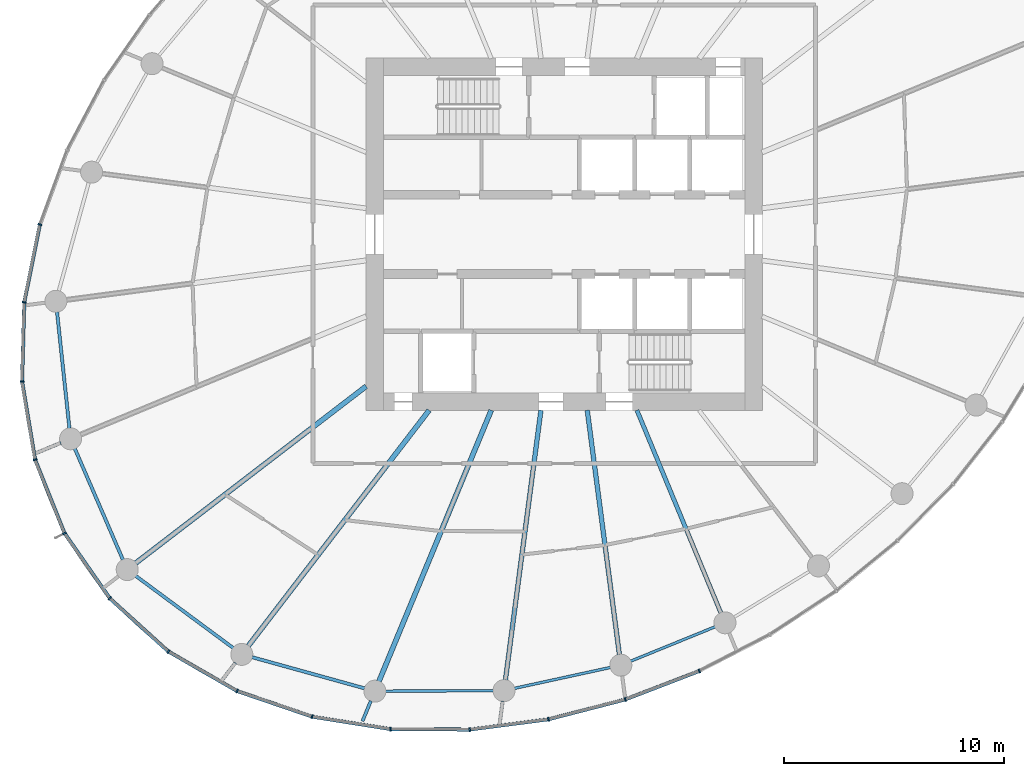
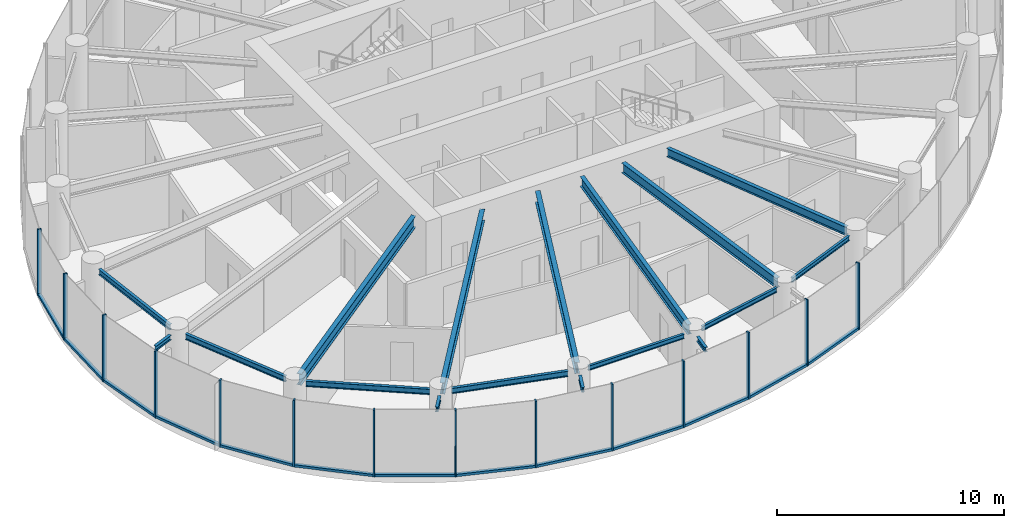
# One storey, part 2 of 14: 27 members, 17 beams, 3 elements without a shape of their own.
"""IFC4 building model written with IfcOpenShell, lengths in metres."""

from ifc_helpers import new_model, si_unit, direction, frame, origin, origin_2d, place, context, subcontext, project, spatial, rectangle, i_section, extrude, source, transform, mapped, material, layer, layer_set, material_profile, profile_set, type_object, element, aggregate, save


model = new_model("IFC4")

# Units and contexts
model_context = context("Model", 3, precision=1e-05, world=origin(), true_north=direction((0.0, 1.0)))
body_context = subcontext(model_context, "Body", "Model", "MODEL_VIEW")
ifc_project = project(units=[si_unit("LENGTHUNIT", "METRE"), si_unit("AREAUNIT", "SQUARE_METRE"), si_unit("VOLUMEUNIT", "CUBIC_METRE"), si_unit("PLANEANGLEUNIT", "RADIAN"), si_unit("MASSUNIT", "GRAM", prefix="KILO")], contexts=[model_context])

# Site, building, storey
site_placement = place(None, origin())
site = spatial("IfcSite", under=ifc_project, at=site_placement, CompositionType="ELEMENT")
building_placement = place(site_placement, origin())
building = spatial("IfcBuilding", under=site, at=building_placement, Name="Spindrift Exchange Tower", CompositionType="ELEMENT")
storey_placement = place(building_placement, frame((0.0, 0.0, 156.5)))
storey = spatial("IfcBuildingStorey", under=building, at=storey_placement, Name="L37", CompositionType="ELEMENT", Elevation=156.5)

# Beams
ifc_material_1 = material(Name="Steel Grade 300", Category="steel")
ifc_material_profile_1 = material_profile(ifc_material_1, i_section(OverallWidth=0.14599609375, OverallDepth=0.251953125, WebThickness=0.006103515625, FlangeThickness=0.008544921875, FilletRadius=0.011962890625, at=origin_2d()), Name="250UB31.4")
ifc_profile_set_1 = profile_set([ifc_material_profile_1], Name="Steel Grade 300")
beam_type_1 = type_object("IfcBeamType", Name="Cantilever Beam 250UB31.4 Steel Grade 300", PredefinedType="BEAM", material=ifc_profile_set_1)
shared_shape_1 = source(origin(), body_context, "Body", "SweptSolid", [
    extrude(i_section(OverallWidth=0.14599609375, OverallDepth=0.251953125, WebThickness=0.006103515625, FlangeThickness=0.008544921875, FilletRadius=0.011962890625, at=origin_2d()), origin(), (0.0, 0.0, 1.0), 0.92138671875),
])
beam_1_placement = place(storey_placement, frame((37.0830078125, 28.559814453125, 3.4541015625), z_axis=(-0.60869854627, -0.793401587955, 0.0), x_axis=(0.793401587955, -0.60869854627, 0.0)))
element("IfcBeam", 1, at=beam_1_placement, inside=storey, type_object=beam_type_1, Name="L37 cantilever beam R16T", PredefinedType="BEAM", context=body_context, shape_type="MappedRepresentation", body=[
    mapped(shared_shape_1, transform((0.0, 0.0, 0.0), scale=1.0)),
])
ifc_material_profile_2 = material_profile(ifc_material_1, i_section(OverallWidth=0.14892578125, OverallDepth=0.298095703125, WebThickness=0.005615234375, FlangeThickness=0.008056640625, FilletRadius=0.012939453125, at=origin_2d()), Name="310UB32.0")
ifc_profile_set_2 = profile_set([ifc_material_profile_2], Name="Steel Grade 300")
beam_type_2 = type_object("IfcBeamType", Name="Edge Beam 310UB32.0 Steel Grade 300", PredefinedType="SPANDREL", material=ifc_profile_set_2)
shared_shape_2 = source(origin(), body_context, "Body", "SweptSolid", [
    extrude(i_section(OverallWidth=0.14892578125, OverallDepth=0.298095703125, WebThickness=0.005615234375, FlangeThickness=0.008056640625, FilletRadius=0.012939453125, at=origin_2d()), origin(), (0.0, 0.0, 1.0), 5.31640625),
])
beam_2_placement = place(storey_placement, frame((28.989013671875, 44.486572265625, 3.430908203125), z_axis=(0.10598990948, -0.994367205357, 0.0), x_axis=(0.994367205357, 0.10598990948, 0.0)))
element("IfcBeam", 2, at=beam_2_placement, inside=storey, type_object=beam_type_2, Name="L37 edge beam E13", PredefinedType="SPANDREL", context=body_context, shape_type="MappedRepresentation", body=[
    mapped(shared_shape_2, transform((0.0, 0.0, 0.0), scale=1.0)),
])
shared_shape_3 = source(origin(), body_context, "Body", "SweptSolid", [
    extrude(i_section(OverallWidth=0.14892578125, OverallDepth=0.298095703125, WebThickness=0.005615234375, FlangeThickness=0.008056640625, FilletRadius=0.012939453125, at=origin_2d()), origin(), (0.0, 0.0, 1.0), 5.508544921875),
])
beam_3_placement = place(storey_placement, frame((29.794189453125, 38.282470703125, 3.430908203125), z_axis=(0.397414644433, -0.917639144975, 0.0), x_axis=(0.917639144975, 0.397414644433, 0.0)))
element("IfcBeam", 3, at=beam_3_placement, inside=storey, type_object=beam_type_2, Name="L37 edge beam E14", PredefinedType="SPANDREL", context=body_context, shape_type="MappedRepresentation", body=[
    mapped(shared_shape_3, transform((0.0, 0.0, 0.0), scale=1.0)),
])
shared_shape_4 = source(origin(), body_context, "Body", "SweptSolid", [
    extrude(i_section(OverallWidth=0.14892578125, OverallDepth=0.298095703125, WebThickness=0.005615234375, FlangeThickness=0.008056640625, FilletRadius=0.012939453125, at=origin_2d()), origin(), (0.0, 0.0, 1.0), 5.509033203125),
])
beam_4_placement = place(storey_placement, frame((32.56005859375, 32.501708984375, 3.430908203125), z_axis=(0.803991901791, -0.594640245741, 0.0), x_axis=(0.594640245741, 0.803991901791, 0.0)))
element("IfcBeam", 4, at=beam_4_placement, inside=storey, type_object=beam_type_2, Name="L37 edge beam E15", PredefinedType="SPANDREL", context=body_context, shape_type="MappedRepresentation", body=[
    mapped(shared_shape_4, transform((0.0, 0.0, 0.0), scale=1.0)),
])
shared_shape_5 = source(origin(), body_context, "Body", "SweptSolid", [
    extrude(i_section(OverallWidth=0.14892578125, OverallDepth=0.298095703125, WebThickness=0.005615234375, FlangeThickness=0.008056640625, FilletRadius=0.012939453125, at=origin_2d()), origin(), (0.0, 0.0, 1.0), 5.30517578125),
])
beam_5_placement = place(storey_placement, frame((37.837646484375, 28.8125, 3.430908203125), z_axis=(0.963757513624, -0.26677978734, 0.0), x_axis=(0.26677978734, 0.963757513624, 0.0)))
element("IfcBeam", 5, at=beam_5_placement, inside=storey, type_object=beam_type_2, Name="L37 edge beam E16", PredefinedType="SPANDREL", context=body_context, shape_type="MappedRepresentation", body=[
    mapped(shared_shape_5, transform((0.0, 0.0, 0.0), scale=1.0)),
])
ifc_material_profile_3 = material_profile(ifc_material_1, i_section(OverallWidth=0.1240234375, OverallDepth=0.248046875, WebThickness=0.0048828125, FlangeThickness=0.008056640625, FilletRadius=0.011962890625, at=origin_2d()), Name="250UB25.7")
ifc_profile_set_3 = profile_set([ifc_material_profile_3], Name="Steel Grade 300")
beam_type_3 = type_object("IfcBeamType", Name="Edge Beam 250UB25.7 Steel Grade 300", PredefinedType="SPANDREL", material=ifc_profile_set_3)
shared_shape_6 = source(origin(), body_context, "Body", "SweptSolid", [
    extrude(i_section(OverallWidth=0.1240234375, OverallDepth=0.248046875, WebThickness=0.0048828125, FlangeThickness=0.008056640625, FilletRadius=0.011962890625, at=origin_2d()), origin(), (0.0, 0.0, 1.0), 4.901123046875),
])
beam_6_placement = place(storey_placement, frame((43.89306640625, 27.271240234375, 3.4560546875), z_axis=(0.999990609444, 0.004333707747, 0.0), x_axis=(-0.004333707747, 0.999990609444, 0.0)))
element("IfcBeam", 6, at=beam_6_placement, inside=storey, type_object=beam_type_3, Name="L37 edge beam E17", PredefinedType="SPANDREL", context=body_context, shape_type="MappedRepresentation", body=[
    mapped(shared_shape_6, transform((0.0, 0.0, 0.0), scale=1.0)),
])
shared_shape_7 = source(origin(), body_context, "Body", "SweptSolid", [
    extrude(i_section(OverallWidth=0.1240234375, OverallDepth=0.248046875, WebThickness=0.0048828125, FlangeThickness=0.008056640625, FilletRadius=0.011962890625, at=origin_2d()), origin(), (0.0, 0.0, 1.0), 4.464111328125),
])
beam_7_placement = place(storey_placement, frame((49.7431640625, 27.396728515625, 3.4560546875), z_axis=(0.977095837978, 0.212799726048, 0.0), x_axis=(-0.212799726048, 0.977095837978, 0.0)))
element("IfcBeam", 7, at=beam_7_placement, inside=storey, type_object=beam_type_3, Name="L37 edge beam E18", PredefinedType="SPANDREL", context=body_context, shape_type="MappedRepresentation", body=[
    mapped(shared_shape_7, transform((0.0, 0.0, 0.0), scale=1.0)),
])
shared_shape_8 = source(origin(), body_context, "Body", "SweptSolid", [
    extrude(i_section(OverallWidth=0.1240234375, OverallDepth=0.248046875, WebThickness=0.0048828125, FlangeThickness=0.008056640625, FilletRadius=0.011962890625, at=origin_2d()), origin(), (0.0, 0.0, 1.0), 4.143798828125),
])
beam_8_placement = place(storey_placement, frame((55.0185546875, 28.6298828125, 3.4560546875), z_axis=(0.926113706975, 0.377244485385, 0.0), x_axis=(-0.377244485385, 0.926113706975, 0.0)))
element("IfcBeam", 8, at=beam_8_placement, inside=storey, type_object=beam_type_3, Name="L37 edge beam E19", PredefinedType="SPANDREL", context=body_context, shape_type="MappedRepresentation", body=[
    mapped(shared_shape_8, transform((0.0, 0.0, 0.0), scale=1.0)),
])
ifc_material_profile_4 = material_profile(ifc_material_1, i_section(OverallWidth=0.22802734375, OverallDepth=0.60205078125, WebThickness=0.010498046875, FlangeThickness=0.014892578125, FilletRadius=0.013916015625, at=origin_2d()), Name="610UB101")
ifc_profile_set_4 = profile_set([ifc_material_profile_4], Name="Steel Grade 300")
beam_type_4 = type_object("IfcBeamType", Name="Floor Beam 610UB101 Steel Grade 300", PredefinedType="BEAM", material=ifc_profile_set_4)
shared_shape_9 = source(origin(), body_context, "Body", "SweptSolid", [
    extrude(i_section(OverallWidth=0.22802734375, OverallDepth=0.60205078125, WebThickness=0.010498046875, FlangeThickness=0.014892578125, FilletRadius=0.013916015625, at=origin_2d()), origin(), (0.0, 0.0, 1.0), 13.185546875),
])
beam_9_placement = place(storey_placement, frame((43.015869140625, 41.106201171875, 3.279052734375), z_axis=(-0.793357156703, -0.608756455332, 0.0), x_axis=(0.608756455332, -0.793357156703, 0.0)))
element("IfcBeam", 9, at=beam_9_placement, inside=storey, type_object=beam_type_4, Name="L37 radial beam R15A", PredefinedType="BEAM", context=body_context, shape_type="MappedRepresentation", body=[
    mapped(shared_shape_9, transform((0.0, 0.0, 0.0), scale=1.0)),
])
shared_shape_10 = source(origin(), body_context, "Body", "SweptSolid", [
    extrude(i_section(OverallWidth=0.22802734375, OverallDepth=0.60205078125, WebThickness=0.010498046875, FlangeThickness=0.014892578125, FilletRadius=0.013916015625, at=origin_2d()), origin(), (0.0, 0.0, 1.0), 13.480224609375),
])
beam_10_placement = place(storey_placement, frame((45.87353515625, 40.015869140625, 3.279052734375), z_axis=(-0.608764179541, -0.793351229726, 0.0), x_axis=(0.793351229726, -0.608764179541, 0.0)))
element("IfcBeam", 10, at=beam_10_placement, inside=storey, type_object=beam_type_4, Name="L37 radial beam R16A", PredefinedType="BEAM", context=body_context, shape_type="MappedRepresentation", body=[
    mapped(shared_shape_10, transform((0.0, 0.0, 0.0), scale=1.0)),
])
shared_shape_11 = source(origin(), body_context, "Body", "SweptSolid", [
    extrude(i_section(OverallWidth=0.22802734375, OverallDepth=0.60205078125, WebThickness=0.010498046875, FlangeThickness=0.014892578125, FilletRadius=0.013916015625, at=origin_2d()), origin(), (0.0, 0.0, 1.0), 13.31982421875),
])
beam_11_placement = place(storey_placement, frame((48.69384765625, 40.0185546875, 3.279052734375), z_axis=(-0.382676632888, -0.923882348918, 0.0), x_axis=(0.923882348918, -0.382676632888, 0.0)))
element("IfcBeam", 11, at=beam_11_placement, inside=storey, type_object=beam_type_4, Name="L37 radial beam R17A", PredefinedType="BEAM", context=body_context, shape_type="MappedRepresentation", body=[
    mapped(shared_shape_11, transform((0.0, 0.0, 0.0), scale=1.0)),
])
ifc_material_profile_5 = material_profile(ifc_material_1, i_section(OverallWidth=0.208984375, OverallDepth=0.528076171875, WebThickness=0.009521484375, FlangeThickness=0.01318359375, FilletRadius=0.013916015625, at=origin_2d()), Name="530UB82.0")
ifc_profile_set_5 = profile_set([ifc_material_profile_5], Name="Steel Grade 300")
beam_type_5 = type_object("IfcBeamType", Name="Floor Beam 530UB82.0 Steel Grade 300", PredefinedType="BEAM", material=ifc_profile_set_5)
shared_shape_12 = source(origin(), body_context, "Body", "SweptSolid", [
    extrude(i_section(OverallWidth=0.208984375, OverallDepth=0.528076171875, WebThickness=0.009521484375, FlangeThickness=0.01318359375, FilletRadius=0.013916015625, at=origin_2d()), origin(), (0.0, 0.0, 1.0), 12.35498046875),
])
beam_12_placement = place(storey_placement, frame((50.949462890625, 40.019775390625, 3.31591796875), z_axis=(-0.130537831721, -0.991443328935, 0.0), x_axis=(0.991443328935, -0.130537831721, 0.0)))
element("IfcBeam", 12, at=beam_12_placement, inside=storey, type_object=beam_type_5, Name="L37 radial beam R18A", PredefinedType="BEAM", context=body_context, shape_type="MappedRepresentation", body=[
    mapped(shared_shape_12, transform((0.0, 0.0, 0.0), scale=1.0)),
])
shared_shape_13 = source(origin(), body_context, "Body", "SweptSolid", [
    extrude(i_section(OverallWidth=0.208984375, OverallDepth=0.528076171875, WebThickness=0.009521484375, FlangeThickness=0.01318359375, FilletRadius=0.013916015625, at=origin_2d()), origin(), (0.0, 0.0, 1.0), 11.19091796875),
])
beam_13_placement = place(storey_placement, frame((53.050537109375, 40.019775390625, 3.31591796875), z_axis=(0.130524489434, -0.991445085548, 0.0), x_axis=(0.991445085548, 0.130524489434, 0.0)))
element("IfcBeam", 13, at=beam_13_placement, inside=storey, type_object=beam_type_5, Name="L37 radial beam R19A", PredefinedType="BEAM", context=body_context, shape_type="MappedRepresentation", body=[
    mapped(shared_shape_13, transform((0.0, 0.0, 0.0), scale=1.0)),
])
ifc_material_profile_6 = material_profile(ifc_material_1, i_section(OverallWidth=0.18994140625, OverallDepth=0.4541015625, WebThickness=0.008544921875, FlangeThickness=0.0126953125, FilletRadius=0.013916015625, at=origin_2d()), Name="460UB67.1")
ifc_profile_set_6 = profile_set([ifc_material_profile_6], Name="Steel Grade 300")
beam_type_6 = type_object("IfcBeamType", Name="Floor Beam 460UB67.1 Steel Grade 300", PredefinedType="BEAM", material=ifc_profile_set_6)
shared_shape_14 = source(origin(), body_context, "Body", "SweptSolid", [
    extrude(i_section(OverallWidth=0.18994140625, OverallDepth=0.4541015625, WebThickness=0.008544921875, FlangeThickness=0.0126953125, FilletRadius=0.013916015625, at=origin_2d()), origin(), (0.0, 0.0, 1.0), 9.958984375),
])
beam_14_placement = place(storey_placement, frame((55.30615234375, 40.0185546875, 3.35302734375), z_axis=(0.382673670509, -0.923883575944, 0.0), x_axis=(0.923883575944, 0.382673670509, 0.0)))
element("IfcBeam", 14, at=beam_14_placement, inside=storey, type_object=beam_type_6, Name="L37 radial beam R20A", PredefinedType="BEAM", context=body_context, shape_type="MappedRepresentation", body=[
    mapped(shared_shape_14, transform((0.0, 0.0, 0.0), scale=1.0)),
])
shared_shape_15 = source(origin(), body_context, "Body", "SweptSolid", [
    extrude(i_section(OverallWidth=0.14599609375, OverallDepth=0.251953125, WebThickness=0.006103515625, FlangeThickness=0.008544921875, FilletRadius=0.011962890625, at=origin_2d()), origin(), (0.0, 0.0, 1.0), 1.1044921875),
])
beam_15_placement = place(storey_placement, frame((29.159912109375, 38.539306640625, 3.4541015625), z_axis=(-0.923911779543, -0.382605571864, 0.0), x_axis=(0.382605571864, -0.923911779543, 0.0)))
element("IfcBeam", 15, at=beam_15_placement, inside=storey, type_object=beam_type_1, Name="L37 cantilever beam R14T", PredefinedType="BEAM", context=body_context, shape_type="MappedRepresentation", body=[
    mapped(shared_shape_15, transform((0.0, 0.0, 0.0), scale=1.0)),
])
shared_shape_16 = source(origin(), body_context, "Body", "SweptSolid", [
    extrude(i_section(OverallWidth=0.14599609375, OverallDepth=0.251953125, WebThickness=0.006103515625, FlangeThickness=0.008544921875, FilletRadius=0.011962890625, at=origin_2d()), origin(), (0.0, 0.0, 1.0), 0.99267578125),
])
beam_16_placement = place(storey_placement, frame((43.229248046875, 26.82568359375, 3.4541015625), z_axis=(-0.382728331332, -0.923860933472, 0.0), x_axis=(0.923860933472, -0.382728331332, 0.0)))
element("IfcBeam", 16, at=beam_16_placement, inside=storey, type_object=beam_type_1, Name="L37 cantilever beam R17T", PredefinedType="BEAM", context=body_context, shape_type="MappedRepresentation", body=[
    mapped(shared_shape_16, transform((0.0, 0.0, 0.0), scale=1.0)),
])
shared_shape_17 = source(origin(), body_context, "Body", "SweptSolid", [
    extrude(i_section(OverallWidth=0.14599609375, OverallDepth=0.251953125, WebThickness=0.006103515625, FlangeThickness=0.008544921875, FilletRadius=0.011962890625, at=origin_2d()), origin(), (0.0, 0.0, 1.0), 0.951416015625),
])
beam_17_placement = place(storey_placement, frame((49.21142578125, 26.81884765625, 3.4541015625), z_axis=(-0.13060053092, -0.991435071663, 0.0), x_axis=(0.991435071663, -0.13060053092, 0.0)))
element("IfcBeam", 17, at=beam_17_placement, inside=storey, type_object=beam_type_1, Name="L37 cantilever beam R18T", PredefinedType="BEAM", context=body_context, shape_type="MappedRepresentation", body=[
    mapped(shared_shape_17, transform((0.0, 0.0, 0.0), scale=1.0)),
])

# Curtain wall, member
ifc_material_2 = material(Name="Fritted laminated glass with bronze frame", Category="glass")
ifc_layer = layer(ifc_material_2, 0.179931640625)
ifc_layer_set = layer_set([ifc_layer], Name="ZONE 3 BRONZE FRITTED WALL")
curtain_wall_type = type_object("IfcCurtainWallType", Name="ZONE 3 BRONZE FRITTED WALL", PredefinedType="NOTDEFINED", material=ifc_layer_set)
curtain_wall_1_placement = place(storey_placement, origin())
curtain_wall_1 = element("IfcCurtainWall", 18, at=curtain_wall_1_placement, inside=storey, type_object=curtain_wall_type, Name="L37 Zone 3 Bronze Fritted Wall run 5", PredefinedType="NOTDEFINED")
ifc_material_3 = material(Name="Bronze anodised aluminium", Category="aluminium")
ifc_material_profile_7 = material_profile(ifc_material_3, rectangle(XDim=0.159912109375, YDim=0.1298828125, at=origin_2d()), Name="ZONE 3 BRONZE FRITTED WALL TRANSOM 160X130")
ifc_profile_set_7 = profile_set([ifc_material_profile_7], Name="Bronze anodised aluminium")
member_type_1 = type_object("IfcMemberType", Name="ZONE 3 BRONZE FRITTED WALL TRANSOM 160X130", PredefinedType="USERDEFINED", material=ifc_profile_set_7)
shared_shape_18 = source(origin(), body_context, "Body", "SweptSolid", [
    extrude(rectangle(XDim=0.159912109375, YDim=0.1298828125, at=origin_2d()), origin(), (0.0, 0.0, 1.0), 3.53076171875),
])
member_1_placement = place(storey_placement, frame((54.808349609375, 26.904296875, 0.06494140625), z_axis=(0.933468516944, 0.358659347955, 0.0), x_axis=(-0.358659347955, 0.933468516944, 0.0)))
member_1 = element("IfcMember", 19, at=member_1_placement, type_object=member_type_1, Name="L37 transom CW-3.29", ObjectType="TRANSOM", PredefinedType="USERDEFINED", context=body_context, shape_type="MappedRepresentation", body=[
    mapped(shared_shape_18, transform((0.0, 0.0, 0.0), scale=1.0)),
])

curtain_wall_2_placement = place(storey_placement, origin())
curtain_wall_2 = element("IfcCurtainWall", 20, at=curtain_wall_2_placement, inside=storey, type_object=curtain_wall_type, Name="L37 Zone 3 Bronze Fritted Wall run 3", PredefinedType="NOTDEFINED")
shared_shape_19 = source(origin(), body_context, "Body", "SweptSolid", [
    extrude(rectangle(XDim=0.159912109375, YDim=0.1298828125, at=origin_2d()), origin(), (0.0, 0.0, 1.0), 3.52880859375),
])
member_2_placement = place(storey_placement, frame((28.203857421875, 48.409912109375, 0.06494140625), z_axis=(-0.197592749277, -0.980284196258, 0.0), x_axis=(0.980284196258, -0.197592749277, 0.0)))
member_2 = element("IfcMember", 21, at=member_2_placement, type_object=member_type_1, Name="L37 transom CW-3.17", ObjectType="TRANSOM", PredefinedType="USERDEFINED", context=body_context, shape_type="MappedRepresentation", body=[
    mapped(shared_shape_19, transform((0.0, 0.0, 0.0), scale=1.0)),
])

# Member
member_3_placement = place(storey_placement, frame((40.600341796875, 26.107666015625, 0.06494140625), z_axis=(0.987644878604, -0.156708626973, 0.0), x_axis=(0.156708626973, 0.987644878604, 0.0)))
member_3 = element("IfcMember", 22, at=member_3_placement, type_object=member_type_1, Name="L37 transom CW-3.25", ObjectType="TRANSOM", PredefinedType="USERDEFINED", context=body_context, shape_type="MappedRepresentation", body=[
    mapped(shared_shape_19, transform((0.0, 0.0, 0.0), scale=1.0)),
])

# Curtain wall, members
curtain_wall_3_placement = place(storey_placement, origin())
curtain_wall_3 = element("IfcCurtainWall", 23, at=curtain_wall_3_placement, inside=storey, type_object=curtain_wall_type, Name="L37 Zone 3 Bronze Fritted Wall run 4", PredefinedType="NOTDEFINED")
shared_shape_20 = source(origin(), body_context, "Body", "SweptSolid", [
    extrude(rectangle(XDim=0.159912109375, YDim=0.1298828125, at=origin_2d()), origin(), (0.0, 0.0, 1.0), 3.525146484375),
])
member_4_placement = place(storey_placement, frame((28.0078125, 37.740966796875, 0.06494140625), z_axis=(0.371080192185, -0.928600824341, 0.0), x_axis=(0.928600824341, 0.371080192185, 0.0)))
member_4 = element("IfcMember", 24, at=member_4_placement, type_object=member_type_1, Name="L37 transom CW-3.20", ObjectType="TRANSOM", PredefinedType="USERDEFINED", context=body_context, shape_type="MappedRepresentation", body=[
    mapped(shared_shape_20, transform((0.0, 0.0, 0.0), scale=1.0)),
])
member_5_placement = place(storey_placement, frame((31.40625, 31.45947265625, 0.06494140625), z_axis=(0.740854473837, -0.671665577945, 0.0), x_axis=(0.671665577945, 0.740854473837, 0.0)))
member_5 = element("IfcMember", 25, at=member_5_placement, type_object=member_type_1, Name="L37 transom CW-3.22", ObjectType="TRANSOM", PredefinedType="USERDEFINED", context=body_context, shape_type="MappedRepresentation", body=[
    mapped(shared_shape_20, transform((0.0, 0.0, 0.0), scale=1.0)),
])

# Member
shared_shape_21 = source(origin(), body_context, "Body", "SweptSolid", [
    extrude(rectangle(XDim=0.159912109375, YDim=0.1298828125, at=origin_2d()), origin(), (0.0, 0.0, 1.0), 3.530517578125),
])
member_6_placement = place(storey_placement, frame((51.3232421875, 26.0009765625, 0.06494140625), z_axis=(0.968284339856, 0.249850829874, 0.0), x_axis=(-0.249850829874, 0.968284339856, 0.0)))
member_6 = element("IfcMember", 26, at=member_6_placement, type_object=member_type_1, Name="L37 transom CW-3.28", ObjectType="TRANSOM", PredefinedType="USERDEFINED", context=body_context, shape_type="MappedRepresentation", body=[
    mapped(shared_shape_21, transform((0.0, 0.0, 0.0), scale=1.0)),
])

ifc_material_profile_8 = material_profile(ifc_material_3, rectangle(XDim=0.070068359375, YDim=0.179931640625, at=origin_2d()), Name="ZONE 3 BRONZE FRITTED WALL MULLION 70X180")
ifc_profile_set_8 = profile_set([ifc_material_profile_8], Name="Bronze anodised aluminium")
member_type_2 = type_object("IfcMemberType", Name="ZONE 3 BRONZE FRITTED WALL MULLION 70X180", PredefinedType="MULLION", material=ifc_profile_set_8)
shared_shape_22 = source(origin(), body_context, "Body", "SweptSolid", [
    extrude(rectangle(XDim=0.070068359375, YDim=0.179931640625, at=origin_2d()), origin(), (0.0, 0.0, 1.0), 3.580078125),
])
member_7_placement = place(storey_placement, frame((28.210693359375, 48.444091796875, 0.0), z_axis=(0.0, 0.0, 1.0), x_axis=(-0.271141942713, -0.962539374208, 0.0)))
member_7 = element("IfcMember", 27, at=member_7_placement, type_object=member_type_2, Name="L37 mullion CW-3.17", PredefinedType="MULLION", context=body_context, shape_type="MappedRepresentation", body=[
    mapped(shared_shape_22, transform((0.0, 0.0, 0.0), scale=1.0)),
])

member_8_placement = place(storey_placement, frame((27.499755859375, 44.91650390625, 0.0), z_axis=(0.0, 0.0, 1.0), x_axis=(-0.112972174555, -0.99359815206, 0.0)))
member_8 = element("IfcMember", 28, at=member_8_placement, type_object=member_type_2, Name="L37 mullion CW-3.18", PredefinedType="MULLION", context=body_context, shape_type="MappedRepresentation", body=[
    mapped(shared_shape_22, transform((0.0, 0.0, 0.0), scale=1.0)),
])

member_9_placement = place(storey_placement, frame((27.400634765625, 41.3203125, 0.0), z_axis=(0.0, 0.0, 1.0), x_axis=(0.069178379237, -0.997604306249, 0.0)))
member_9 = element("IfcMember", 29, at=member_9_placement, type_object=member_type_2, Name="L37 mullion CW-3.19", PredefinedType="MULLION", context=body_context, shape_type="MappedRepresentation", body=[
    mapped(shared_shape_22, transform((0.0, 0.0, 0.0), scale=1.0)),
])

member_10_placement = place(storey_placement, frame((27.994873046875, 37.7734375, 0.0), z_axis=(0.0, 0.0, 1.0), x_axis=(0.269716979127, -0.962939640461, 0.0)))
member_10 = element("IfcMember", 30, at=member_10_placement, type_object=member_type_2, Name="L37 mullion CW-3.20", PredefinedType="MULLION", context=body_context, shape_type="MappedRepresentation", body=[
    mapped(shared_shape_22, transform((0.0, 0.0, 0.0), scale=1.0)),
])

member_11_placement = place(storey_placement, frame((29.3291015625, 34.43505859375, 0.0), z_axis=(0.0, 0.0, 1.0), x_axis=(0.473923194612, -0.880566184684, 0.0)))
member_11 = element("IfcMember", 31, at=member_11_placement, type_object=member_type_2, Name="L37 mullion CW-3.21", PredefinedType="MULLION", context=body_context, shape_type="MappedRepresentation", body=[
    mapped(shared_shape_22, transform((0.0, 0.0, 0.0), scale=1.0)),
])

member_12_placement = place(storey_placement, frame((31.38037109375, 31.483154296875, 0.0), z_axis=(0.0, 0.0, 1.0), x_axis=(0.660005940021, -0.751260380386, 0.0)))
member_12 = element("IfcMember", 32, at=member_12_placement, type_object=member_type_2, Name="L37 mullion CW-3.22", PredefinedType="MULLION", context=body_context, shape_type="MappedRepresentation", body=[
    mapped(shared_shape_22, transform((0.0, 0.0, 0.0), scale=1.0)),
])

member_13_placement = place(storey_placement, frame((34.043701171875, 29.068359375, 0.0), z_axis=(0.0, 0.0, 1.0), x_axis=(0.808422251521, -0.588602975906, 0.0)))
member_13 = element("IfcMember", 33, at=member_13_placement, type_object=member_type_2, Name="L37 mullion CW-3.23", PredefinedType="MULLION", context=body_context, shape_type="MappedRepresentation", body=[
    mapped(shared_shape_22, transform((0.0, 0.0, 0.0), scale=1.0)),
])

member_14_placement = place(storey_placement, frame((37.16064453125, 27.274658203125, 0.0), z_axis=(0.0, 0.0, 1.0), x_axis=(0.91084732205, -0.41274345048, 0.0)))
member_14 = element("IfcMember", 34, at=member_14_placement, type_object=member_type_2, Name="L37 mullion CW-3.24", PredefinedType="MULLION", context=body_context, shape_type="MappedRepresentation", body=[
    mapped(shared_shape_22, transform((0.0, 0.0, 0.0), scale=1.0)),
])

member_15_placement = place(storey_placement, frame((40.565673828125, 26.11328125, 0.0), z_axis=(0.0, 0.0, 1.0), x_axis=(0.970613508199, -0.24064375683, 0.0)))
member_15 = element("IfcMember", 35, at=member_15_placement, type_object=member_type_2, Name="L37 mullion CW-3.25", PredefinedType="MULLION", context=body_context, shape_type="MappedRepresentation", body=[
    mapped(shared_shape_22, transform((0.0, 0.0, 0.0), scale=1.0)),
])

member_16_placement = place(storey_placement, frame((44.119873046875, 25.54931640625, 0.0), z_axis=(0.0, 0.0, 1.0), x_axis=(0.996668854558, -0.081554854875, 0.0)))
member_16 = element("IfcMember", 36, at=member_16_placement, type_object=member_type_2, Name="L37 mullion CW-3.26", PredefinedType="MULLION", context=body_context, shape_type="MappedRepresentation", body=[
    mapped(shared_shape_22, transform((0.0, 0.0, 0.0), scale=1.0)),
])

member_17_placement = place(storey_placement, frame((47.719482421875, 25.52783203125, 0.0), z_axis=(0.0, 0.0, 1.0), x_axis=(0.998096664735, 0.061668856358, 0.0)))
member_17 = element("IfcMember", 37, at=member_17_placement, type_object=member_type_2, Name="L37 mullion CW-3.27", PredefinedType="MULLION", context=body_context, shape_type="MappedRepresentation", body=[
    mapped(shared_shape_22, transform((0.0, 0.0, 0.0), scale=1.0)),
])

member_18_placement = place(storey_placement, frame((51.289306640625, 25.9921875, 0.0), z_axis=(0.0, 0.0, 1.0), x_axis=(0.98183097224, 0.189757587334, 0.0)))
member_18 = element("IfcMember", 38, at=member_18_placement, type_object=member_type_2, Name="L37 mullion CW-3.28", PredefinedType="MULLION", context=body_context, shape_type="MappedRepresentation", body=[
    mapped(shared_shape_22, transform((0.0, 0.0, 0.0), scale=1.0)),
])

member_19_placement = place(storey_placement, frame((54.775634765625, 26.8916015625, 0.0), z_axis=(0.0, 0.0, 1.0), x_axis=(0.952440565726, 0.304724414446, 0.0)))
member_19 = element("IfcMember", 39, at=member_19_placement, type_object=member_type_2, Name="L37 mullion CW-3.29", PredefinedType="MULLION", context=body_context, shape_type="MappedRepresentation", body=[
    mapped(shared_shape_22, transform((0.0, 0.0, 0.0), scale=1.0)),
])

member_20_placement = place(storey_placement, frame((58.13671875, 28.18310546875, 0.0), z_axis=(0.0, 0.0, 1.0), x_axis=(0.912619328962, 0.408810421106, 0.0)))
member_20 = element("IfcMember", 40, at=member_20_placement, type_object=member_type_2, Name="L37 mullion CW-3.30", PredefinedType="MULLION", context=body_context, shape_type="MappedRepresentation", body=[
    mapped(shared_shape_22, transform((0.0, 0.0, 0.0), scale=1.0)),
])

shared_shape_23 = source(origin(), body_context, "Body", "SweptSolid", [
    extrude(rectangle(XDim=0.159912109375, YDim=0.1298828125, at=origin_2d()), origin(), (0.0, 0.0, 1.0), 3.530029296875),
])
member_21_placement = place(storey_placement, frame((47.754150390625, 25.532470703125, 0.06494140625), z_axis=(0.991646242574, 0.128987323365, 0.0), x_axis=(-0.128987323365, 0.991646242574, 0.0)))
member_21 = element("IfcMember", 41, at=member_21_placement, type_object=member_type_1, Name="L37 transom CW-3.27", ObjectType="TRANSOM", PredefinedType="USERDEFINED", context=body_context, shape_type="MappedRepresentation", body=[
    mapped(shared_shape_23, transform((0.0, 0.0, 0.0), scale=1.0)),
])

shared_shape_24 = source(origin(), body_context, "Body", "SweptSolid", [
    extrude(rectangle(XDim=0.159912109375, YDim=0.1298828125, at=origin_2d()), origin(), (0.0, 0.0, 1.0), 3.529541015625),
])
member_22_placement = place(storey_placement, frame((44.15478515625, 25.549072265625, 0.06494140625), z_axis=(0.9999823071, -0.005948570133, 0.0), x_axis=(0.005948570133, 0.9999823071, 0.0)))
member_22 = element("IfcMember", 42, at=member_22_placement, type_object=member_type_1, Name="L37 transom CW-3.26", ObjectType="TRANSOM", PredefinedType="USERDEFINED", context=body_context, shape_type="MappedRepresentation", body=[
    mapped(shared_shape_24, transform((0.0, 0.0, 0.0), scale=1.0)),
])

aggregate(curtain_wall_1, [member_15, member_3, member_16, member_22, member_17, member_21, member_18, member_6, member_19, member_1, member_20])

shared_shape_25 = source(origin(), body_context, "Body", "SweptSolid", [
    extrude(rectangle(XDim=0.159912109375, YDim=0.1298828125, at=origin_2d()), origin(), (0.0, 0.0, 1.0), 3.524658203125),
])
member_23_placement = place(storey_placement, frame((29.348876953125, 34.40625, 0.06494140625), z_axis=(0.570693033655, -0.821163480275, 0.0), x_axis=(0.821163480275, 0.570693033655, 0.0)))
member_23 = element("IfcMember", 43, at=member_23_placement, type_object=member_type_1, Name="L37 transom CW-3.21", ObjectType="TRANSOM", PredefinedType="USERDEFINED", context=body_context, shape_type="MappedRepresentation", body=[
    mapped(shared_shape_25, transform((0.0, 0.0, 0.0), scale=1.0)),
])

shared_shape_26 = source(origin(), body_context, "Body", "SweptSolid", [
    extrude(rectangle(XDim=0.159912109375, YDim=0.1298828125, at=origin_2d()), origin(), (0.0, 0.0, 1.0), 3.52734375),
])
member_24_placement = place(storey_placement, frame((27.498779296875, 44.88134765625, 0.06494140625), z_axis=(-0.027546144992, -0.99962053295, 0.0), x_axis=(0.99962053295, -0.027546144992, 0.0)))
member_24 = element("IfcMember", 44, at=member_24_placement, type_object=member_type_1, Name="L37 transom CW-3.18", ObjectType="TRANSOM", PredefinedType="USERDEFINED", context=body_context, shape_type="MappedRepresentation", body=[
    mapped(shared_shape_26, transform((0.0, 0.0, 0.0), scale=1.0)),
])

aggregate(curtain_wall_2, [member_7, member_2, member_8, member_24])

member_25_placement = place(storey_placement, frame((37.19384765625, 27.26318359375, 0.06494140625), z_axis=(0.946466461945, -0.322802162962, 0.0), x_axis=(0.322802162962, 0.946466461945, 0.0)))
member_25 = element("IfcMember", 45, at=member_25_placement, type_object=member_type_1, Name="L37 transom CW-3.24", ObjectType="TRANSOM", PredefinedType="USERDEFINED", context=body_context, shape_type="MappedRepresentation", body=[
    mapped(shared_shape_26, transform((0.0, 0.0, 0.0), scale=1.0)),
])

shared_shape_27 = source(origin(), body_context, "Body", "SweptSolid", [
    extrude(rectangle(XDim=0.159912109375, YDim=0.1298828125, at=origin_2d()), origin(), (0.0, 0.0, 1.0), 3.526123046875),
])
member_26_placement = place(storey_placement, frame((27.406494140625, 41.28564453125, 0.06494140625), z_axis=(0.165196078333, -0.986260744278, 0.0), x_axis=(0.986260744278, 0.165196078333, 0.0)))
member_26 = element("IfcMember", 46, at=member_26_placement, type_object=member_type_1, Name="L37 transom CW-3.19", ObjectType="TRANSOM", PredefinedType="USERDEFINED", context=body_context, shape_type="MappedRepresentation", body=[
    mapped(shared_shape_27, transform((0.0, 0.0, 0.0), scale=1.0)),
])

member_27_placement = place(storey_placement, frame((34.07421875, 29.051025390625, 0.06494140625), z_axis=(0.8666923048, -0.498843110408, 0.0), x_axis=(0.498843110408, 0.8666923048, 0.0)))
member_27 = element("IfcMember", 47, at=member_27_placement, type_object=member_type_1, Name="L37 transom CW-3.23", ObjectType="TRANSOM", PredefinedType="USERDEFINED", context=body_context, shape_type="MappedRepresentation", body=[
    mapped(shared_shape_27, transform((0.0, 0.0, 0.0), scale=1.0)),
])

aggregate(curtain_wall_3, [member_9, member_26, member_10, member_4, member_11, member_23, member_12, member_5, member_13, member_27, member_14, member_25])

save(model, "model.ifc")
